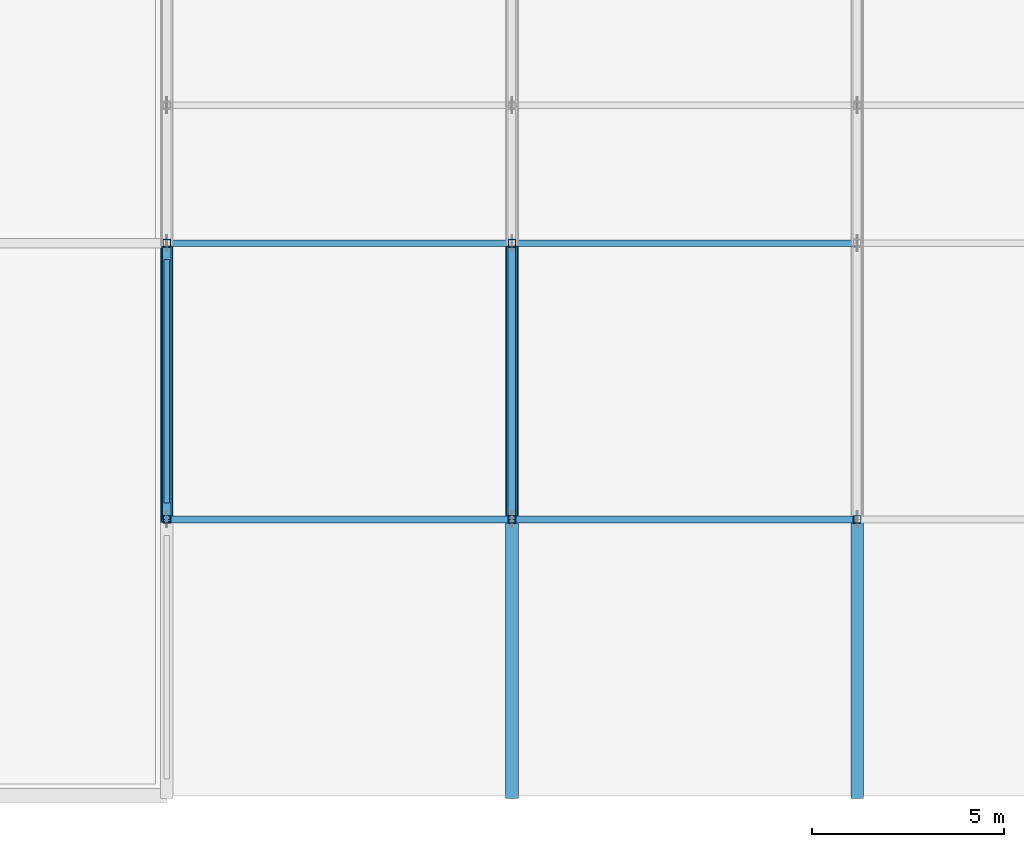
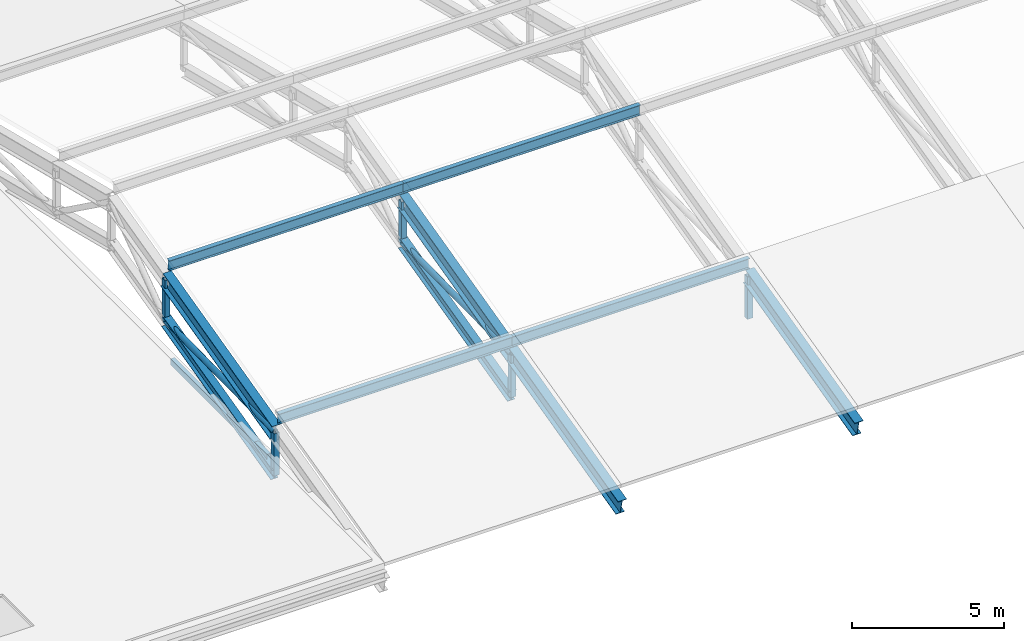
# One storey, part 38 of 124: 17 members, 1 beam.
"""IFC4 building model written with IfcOpenShell, lengths in metres."""

import ifcopenshell
import ifcopenshell.guid

model = None  # the IFC model being written
_history = None  # IfcOwnerHistory: only IFC2X3 demands one
_inside = {}  # id of a spatial element -> (the spatial element, [elements in it])
_under = {}  # id of a project, library or spatial element -> (it, [spatial elements below it])
_declared = {}  # id of a project -> (the project, [libraries it declares])
_typed = {}  # id of a type object -> (the type object, [elements of that type])
_made_of = {}  # id of a material, layer set ... -> (it, [elements and type objects made of it])


def new_model(schema):
    """Start an empty IFC model of exactly this schema.

    Asked for "IFC4X3", IfcOpenShell would pick the latest addendum, in which some entities
    have other attributes; the version numbers below select the first issue.
    IFC2X3 requires an IfcOwnerHistory on every rooted entity: one is made here for all.
    """
    global model, _history
    if schema == "IFC4X3":
        model = ifcopenshell.file(schema_version=(4, 3, 0, 0))
    else:
        model = ifcopenshell.file(schema=schema)
    _inside.clear()
    _under.clear()
    _declared.clear()
    _typed.clear()
    _made_of.clear()
    _history = None
    if model.schema == "IFC2X3":
        org = make("IfcOrganization", Name="unknown")
        user = make(
            "IfcPersonAndOrganization",
            ThePerson=make("IfcPerson", FamilyName="unknown"),
            TheOrganization=org,
        )
        app = make(
            "IfcApplication",
            ApplicationDeveloper=org,
            Version="unknown",
            ApplicationFullName="unknown",
            ApplicationIdentifier="unknown",
        )
        _history = make(
            "IfcOwnerHistory",
            OwningUser=user,
            OwningApplication=app,
            ChangeAction="ADDED",
            CreationDate=0,
        )
    return model


def make(cls, **values):
    """One entity of the class cls with the attributes given. An attribute that is None is left unset."""
    return model.create_entity(
        cls, **{name: value for name, value in values.items() if value is not None}
    )


def rooted(cls, **values):
    """An entity with a GlobalId (a new one), such as an element, a storey or a relation."""
    return make(cls, GlobalId=ifcopenshell.guid.new(), OwnerHistory=_history, **values)


def si_unit(unit_type, name, prefix=None):
    """IfcSIUnit, for example si_unit("LENGTHUNIT", "METRE", prefix="MILLI")."""
    return make("IfcSIUnit", UnitType=unit_type, Prefix=prefix, Name=name)


def assignment(units):
    """IfcUnitAssignment: the units of a project."""
    return None if units is None else make("IfcUnitAssignment", Units=units)


def point(xyz):
    """IfcCartesianPoint."""
    return None if xyz is None else make("IfcCartesianPoint", Coordinates=xyz)


def direction(xyz):
    """IfcDirection."""
    return None if xyz is None else make("IfcDirection", DirectionRatios=xyz)


def frame(location, z_axis=None, x_axis=None):
    """IfcAxis2Placement3D, a coordinate frame: its origin and axes. An axis left out is left unset."""
    return make(
        "IfcAxis2Placement3D",
        Location=point(location),
        Axis=direction(z_axis),
        RefDirection=direction(x_axis),
    )


def frame_2d(location, x_axis=None):
    """IfcAxis2Placement2D, a coordinate frame in the plane: its origin and x axis."""
    return make(
        "IfcAxis2Placement2D", Location=point(location), RefDirection=direction(x_axis)
    )


def origin():
    """The frame at (0, 0, 0) with its axes left unset."""
    return frame((0.0, 0.0, 0.0))


def origin_2d():
    """The frame at (0, 0) in the plane with its x axis left unset."""
    return frame_2d((0.0, 0.0))


def place(relative_to, where):
    """IfcLocalPlacement: puts the frame where relative to a parent placement (None: the world)."""
    return make(
        "IfcLocalPlacement", PlacementRelTo=relative_to, RelativePlacement=where
    )


def context(
    kind, dimensions, precision=None, world=None, true_north=None, identifier=None
):
    """IfcGeometricRepresentationContext, for example the 3D "Model" context."""
    return make(
        "IfcGeometricRepresentationContext",
        ContextIdentifier=identifier,
        ContextType=kind,
        CoordinateSpaceDimension=dimensions,
        Precision=precision,
        WorldCoordinateSystem=world,
        TrueNorth=true_north,
    )


def subcontext(parent, identifier, kind, view, scale=None):
    """IfcGeometricRepresentationSubContext, for example "Body" below "Model"."""
    return make(
        "IfcGeometricRepresentationSubContext",
        ContextIdentifier=identifier,
        ContextType=kind,
        ParentContext=parent,
        TargetScale=scale,
        TargetView=view,
    )


def project(units=None, contexts=None):
    """IfcProject with its units and contexts."""
    return rooted(
        "IfcProject",
        Name="project",
        RepresentationContexts=contexts,
        UnitsInContext=assignment(units),
    )


def spatial(cls, under=None, at=None, **own):
    """A site, building, storey or space (cls), placed at a placement, below another one or the project."""
    s = rooted(cls, ObjectPlacement=at, **own)
    if under is not None:
        _under.setdefault(under.id(), (under, []))[1].append(s)
    return s


def profile(cls, at=None, kind="AREA", **sizes):
    """A parametric profile (cls). Its sizes go by their IFC names, for example OverallWidth=200.0."""
    return make(cls, ProfileType=kind, Position=at, **sizes)


def hollow_rectangle(**sizes):
    """IfcRectangleHollowProfileDef."""
    return profile("IfcRectangleHollowProfileDef", **sizes)


def hollow_circle(**sizes):
    """IfcCircleHollowProfileDef."""
    return profile("IfcCircleHollowProfileDef", **sizes)


def i_section(**sizes):
    """IfcIShapeProfileDef."""
    return profile("IfcIShapeProfileDef", **sizes)


def extrude(swept, where, along, depth):
    """IfcExtrudedAreaSolid: the profile swept, set in the frame where, extruded along a direction by depth."""
    return make(
        "IfcExtrudedAreaSolid",
        SweptArea=swept,
        Position=where,
        ExtrudedDirection=direction(along),
        Depth=depth,
    )


def shape(context_of_items, identifier, shape_type, items):
    """IfcShapeRepresentation: the items that make up one representation, for example the "Body"."""
    return make(
        "IfcShapeRepresentation",
        ContextOfItems=context_of_items,
        RepresentationIdentifier=identifier,
        RepresentationType=shape_type,
        Items=items,
    )


def material(Name=None, Category=None):
    """IfcMaterial."""
    return make("IfcMaterial", Name=Name, Category=Category)


def material_profile(
    of_material, cross_section, Name=None, Category=None, Priority=None
):
    """IfcMaterialProfile: a cross section and its material."""
    return make(
        "IfcMaterialProfile",
        Name=Name,
        Material=of_material,
        Profile=cross_section,
        Priority=Priority,
        Category=Category,
    )


def profile_set(profiles, Name=None, composite=None):
    """IfcMaterialProfileSet."""
    return make(
        "IfcMaterialProfileSet",
        Name=Name,
        MaterialProfiles=profiles,
        CompositeProfile=composite,
    )


def made_of(thing, what):
    """Note that an element or type object is made of a material, layer set ...; save() writes the relation."""
    if what is not None:
        _made_of.setdefault(what.id(), (what, []))[1].append(thing)
    return thing


def type_object(cls, material=None, **own):
    """A type object (cls), such as IfcWallType, which elements share."""
    return made_of(rooted(cls, **own), material)


def element(
    cls,
    number,
    at=None,
    inside=None,
    cuts=None,
    type_object=None,
    material=None,
    context=None,
    identifier="Body",
    shape_type=None,
    held_by="IfcProductDefinitionShape",
    body=None,
    shapes=None,
    **own,
):
    """One element of the class cls, such as IfcWall. Its Tag is "e" and its number.

    at: its placement. inside: the storey or other place that contains it. cuts: it is an
    opening in that element (IfcRelVoidsElement). A single representation is given by context,
    identifier, shape_type and body (its items); several are given by shapes. held_by: the class
    of the entity that holds the representations. save() writes the other relations.
    """
    e = rooted(cls, Tag="e%d" % number, ObjectPlacement=at, **own)
    if body is not None:
        shapes = [shape(context, identifier, shape_type, body)]
    if shapes is not None:
        e.Representation = make(held_by, Representations=shapes)
    if inside is not None:
        _inside.setdefault(inside.id(), (inside, []))[1].append(e)
    if cuts is not None:
        rooted(
            "IfcRelVoidsElement", RelatingBuildingElement=cuts, RelatedOpeningElement=e
        )
    if type_object is not None:
        _typed.setdefault(type_object.id(), (type_object, []))[1].append(e)
    return made_of(e, material)


def aggregate(whole, parts):
    """IfcRelAggregates: a whole, such as a stair, and the parts it consists of."""
    return rooted("IfcRelAggregates", RelatingObject=whole, RelatedObjects=parts)


def save(model, path):
    """Write the relations noted so far, then the file.

    IfcRelAggregates (storeys below a building ...), IfcRelContainedInSpatialStructure (elements
    in a storey), IfcRelDefinesByType, IfcRelAssociatesMaterial and IfcRelDeclares: one each for
    every whole, place, type object, material and project.
    """
    for whole, parts in _under.values():
        aggregate(whole, parts)
    for where, things in _inside.values():
        rooted(
            "IfcRelContainedInSpatialStructure",
            RelatedElements=things,
            RelatingStructure=where,
        )
    for kind, things in _typed.values():
        rooted("IfcRelDefinesByType", RelatedObjects=things, RelatingType=kind)
    for what, things in _made_of.values():
        rooted("IfcRelAssociatesMaterial", RelatedObjects=things, RelatingMaterial=what)
    for by, libraries in _declared.values():
        rooted("IfcRelDeclares", RelatingContext=by, RelatedDefinitions=libraries)
    model.write(path)


model = new_model("IFC4")

# Units and contexts
model_context = context("Model", 3, precision=1e-05, world=origin(), true_north=direction((0.0, 1.0)))
body_context = subcontext(model_context, "Body", "Model", "MODEL_VIEW")
ifc_project = project(units=[si_unit("LENGTHUNIT", "METRE"), si_unit("AREAUNIT", "SQUARE_METRE"), si_unit("VOLUMEUNIT", "CUBIC_METRE"), si_unit("PLANEANGLEUNIT", "RADIAN"), si_unit("MASSUNIT", "GRAM", prefix="KILO")], contexts=[model_context])

# Site, building, storey
site_placement = place(None, origin())
site = spatial("IfcSite", under=ifc_project, at=site_placement, CompositionType="ELEMENT")
building_placement = place(site_placement, origin())
building = spatial("IfcBuilding", under=site, at=building_placement, Name="Celestram Park Convention Centre", CompositionType="ELEMENT")
storey_placement = place(building_placement, frame((0.0, 0.0, 15.300048828125)))
storey = spatial("IfcBuildingStorey", under=building, at=storey_placement, Name="L03", CompositionType="ELEMENT", Elevation=15.300048828125)

# Members
ifc_material_1 = material(Name="Steel ASTM A500 Grade C", Category="steel")
ifc_material_profile_1 = material_profile(ifc_material_1, hollow_circle(Radius=0.109619140625, WallThickness=0.008056640625, at=origin_2d()), Name="CHS219X8")
ifc_profile_set_1 = profile_set([ifc_material_profile_1], Name="Steel ASTM A500 Grade C")
member_type_1 = type_object("IfcMemberType", Name="STR-BRC-CHS219", PredefinedType="BRACE", material=ifc_profile_set_1)
for number, where, z_axis, x_axis, name in (
    (1, (162.0, 7.199951171875, 0.907958984375), (0.0, 0.999903373607, 0.013901203187), (-1.0, 0.0, 0.0), "V3 arch web diagonal"),
    (2, (171.0, 7.199951171875, 0.907958984375), (0.0, 0.999903373607, 0.013901203187), (-1.0, 0.0, 0.0), "V3 arch web diagonal"),
):
    element("IfcMember", number, at=place(storey_placement, frame(where, z_axis=z_axis, x_axis=x_axis)), inside=storey, type_object=member_type_1, Name=name, PredefinedType="BRACE", context=body_context, shape_type="SweptSolid", body=[
        extrude(hollow_circle(Radius=0.109619140625, WallThickness=0.008056640625, at=origin_2d()), origin(), (0.0, 0.0, 1.0), 7.20068359375),
    ])
ifc_material_2 = material(Name="Steel ASTM A992 Grade 50", Category="steel")
ifc_material_profile_2 = material_profile(ifc_material_2, i_section(OverallWidth=0.281982421875, OverallDepth=0.467041015625, WebThickness=0.01220703125, FlangeThickness=0.01953125, at=origin_2d()), Name="W18X86")
ifc_profile_set_2 = profile_set([ifc_material_profile_2], Name="Steel ASTM A992 Grade 50")
member_type_2 = type_object("IfcMemberType", Name="STR-CHD-W18X86", PredefinedType="CHORD", material=ifc_profile_set_2)
for number, where, z_axis, x_axis, name in (
    (3, (162.0, 7.199951171875, -0.7919921875), (0.0, 0.970140565046, 0.242543365301), (-1.0, 0.0, 0.0), "V3 arch bottom chord"),
    (4, (171.0, 7.199951171875, -0.7919921875), (0.0, 0.970140565046, 0.242543365301), (-1.0, 0.0, 0.0), "V3 arch bottom chord"),
):
    element("IfcMember", number, at=place(storey_placement, frame(where, z_axis=z_axis, x_axis=x_axis)), inside=storey, type_object=member_type_2, Name=name, PredefinedType="CHORD", context=body_context, shape_type="SweptSolid", body=[
        extrude(i_section(OverallWidth=0.281982421875, OverallDepth=0.467041015625, WebThickness=0.01220703125, FlangeThickness=0.01953125, at=origin_2d()), origin(), (0.0, 0.0, 1.0), 7.421630859375),
    ])
ifc_material_profile_3 = material_profile(ifc_material_2, i_section(OverallWidth=0.327880859375, OverallDepth=0.6220703125, WebThickness=0.015380859375, FlangeThickness=0.0244140625, at=origin_2d()), Name="W24X131")
ifc_profile_set_3 = profile_set([ifc_material_profile_3], Name="Steel ASTM A992 Grade 50")
member_type_3 = type_object("IfcMemberType", Name="STR-CHD-W24X131", PredefinedType="CHORD", material=ifc_profile_set_3)
for number, where, z_axis, x_axis, name in (
    (5, (162.0, 7.199951171875, 0.907958984375), (0.0, 0.970140565046, 0.242543365301), (-1.0, 0.0, 0.0), "V3 arch top chord"),
    (6, (171.0, 0.0, -0.89208984375), (0.0, 0.970140565046, 0.242543365301), (-1.0, 0.0, 0.0), "V3 arch top chord"),
    (7, (171.0, 7.199951171875, 0.907958984375), (0.0, 0.970140565046, 0.242543365301), (-1.0, 0.0, 0.0), "V3 arch top chord"),
    (8, (180.0, 0.0, -0.89208984375), (0.0, 0.970140565046, 0.242543365301), (-1.0, 0.0, 0.0), "V3 arch top chord"),
):
    element("IfcMember", number, at=place(storey_placement, frame(where, z_axis=z_axis, x_axis=x_axis)), inside=storey, type_object=member_type_3, Name=name, PredefinedType="CHORD", context=body_context, shape_type="SweptSolid", body=[
        extrude(i_section(OverallWidth=0.327880859375, OverallDepth=0.6220703125, WebThickness=0.015380859375, FlangeThickness=0.0244140625, at=origin_2d()), origin(), (0.0, 0.0, 1.0), 7.421630859375),
    ])
ifc_material_profile_4 = material_profile(ifc_material_2, i_section(OverallWidth=0.177978515625, OverallDepth=0.406005859375, WebThickness=0.0078125, FlangeThickness=0.0126953125, at=origin_2d()), Name="W16X40")
ifc_profile_set_4 = profile_set([ifc_material_profile_4], Name="Steel ASTM A992 Grade 50")
member_type_4 = type_object("IfcMemberType", Name="STR-RFT-W16X40", PredefinedType="RAFTER", material=ifc_profile_set_4)
for number, where, z_axis, x_axis, name in (
    (9, (162.080078125, 7.199951171875, 1.421875), (1.0, 0.0, 0.0), (0.0, 1.0, 0.0), "V3 roof purlin"),
    (10, (162.080078125, 14.39990234375, 3.221923828125), (1.0, 0.0, 0.0), (0.0, 1.0, 0.0), "V3 roof purlin"),
):
    element("IfcMember", number, at=place(storey_placement, frame(where, z_axis=z_axis, x_axis=x_axis)), inside=storey, type_object=member_type_4, Name=name, PredefinedType="RAFTER", context=body_context, shape_type="SweptSolid", body=[
        extrude(i_section(OverallWidth=0.177978515625, OverallDepth=0.406005859375, WebThickness=0.0078125, FlangeThickness=0.0126953125, at=origin_2d()), origin(), (0.0, 0.0, 1.0), 8.919921875),
    ])
for number, where, z_axis, x_axis, name in (
    (11, (171.0, 7.199951171875, 1.421875), (1.0, 0.0, 0.0), (0.0, 1.0, 0.0), "V3 roof purlin"),
    (12, (171.0, 14.39990234375, 3.221923828125), (1.0, 0.0, 0.0), (0.0, 1.0, 0.0), "V3 roof purlin"),
):
    element("IfcMember", number, at=place(storey_placement, frame(where, z_axis=z_axis, x_axis=x_axis)), inside=storey, type_object=member_type_4, Name=name, PredefinedType="RAFTER", context=body_context, shape_type="SweptSolid", body=[
        extrude(i_section(OverallWidth=0.177978515625, OverallDepth=0.406005859375, WebThickness=0.0078125, FlangeThickness=0.0126953125, at=origin_2d()), origin(), (0.0, 0.0, 1.0), 9.0),
    ])

# Beam
ifc_material_profile_5 = material_profile(ifc_material_1, hollow_rectangle(XDim=0.14990234375, YDim=0.25, WallThickness=0.010009765625, at=origin_2d()), Name="HSS250X150X10")
ifc_profile_set_5 = profile_set([ifc_material_profile_5], Name="Steel ASTM A500 Grade C")
beam_type = type_object("IfcBeamType", Name="STR-SPN-HSS250X150", PredefinedType="SPANDREL", material=ifc_profile_set_5)
beam_placement = place(storey_placement, frame((162.0, 7.6259765625, -0.364990234375), z_axis=(0.0, 1.0, 0.0), x_axis=(-1.0, 0.0, 0.0)))
element("IfcBeam", 13, at=beam_placement, inside=storey, type_object=beam_type, Name="Primary Y-girder BG-L03-0262", PredefinedType="SPANDREL", context=body_context, shape_type="SweptSolid", body=[
    extrude(hollow_rectangle(XDim=0.14990234375, YDim=0.25, WallThickness=0.010009765625, at=origin_2d()), origin(), (0.0, 0.0, 1.0), 6.34814453125),
])

# Members
ifc_material_profile_6 = material_profile(ifc_material_1, hollow_rectangle(XDim=0.199951171875, YDim=0.199951171875, WallThickness=0.010009765625, at=origin_2d()), Name="HSS200X200X10")
ifc_profile_set_6 = profile_set([ifc_material_profile_6], Name="Steel ASTM A500 Grade C")
member_type_5 = type_object("IfcMemberType", Name="STR-STR-HSS200", PredefinedType="STRUT", material=ifc_profile_set_6)
for number, where, z_axis, x_axis, name in (
    (14, (162.0, 7.199951171875, -0.7919921875), (0.0, 0.0, 1.0), (1.0, 0.0, 0.0), "V3 arch vertical strut"),
    (15, (162.0, 14.39990234375, 1.008056640625), (0.0, 0.0, 1.0), (1.0, 0.0, 0.0), "V3 arch vertical strut"),
    (16, (171.0, 7.199951171875, -0.7919921875), (0.0, 0.0, 1.0), (1.0, 0.0, 0.0), "V3 arch vertical strut"),
    (17, (171.0, 14.39990234375, 1.008056640625), (0.0, 0.0, 1.0), (1.0, 0.0, 0.0), "V3 arch vertical strut"),
    (18, (180.0, 7.199951171875, -0.7919921875), (0.0, 0.0, 1.0), (1.0, 0.0, 0.0), "V3 arch vertical strut"),
):
    element("IfcMember", number, at=place(storey_placement, frame(where, z_axis=z_axis, x_axis=x_axis)), inside=storey, type_object=member_type_5, Name=name, PredefinedType="STRUT", context=body_context, shape_type="SweptSolid", body=[
        extrude(hollow_rectangle(XDim=0.199951171875, YDim=0.199951171875, WallThickness=0.010009765625, at=origin_2d()), origin(), (0.0, 0.0, 1.0), 1.699951171875),
    ])

save(model, "model.ifc")
